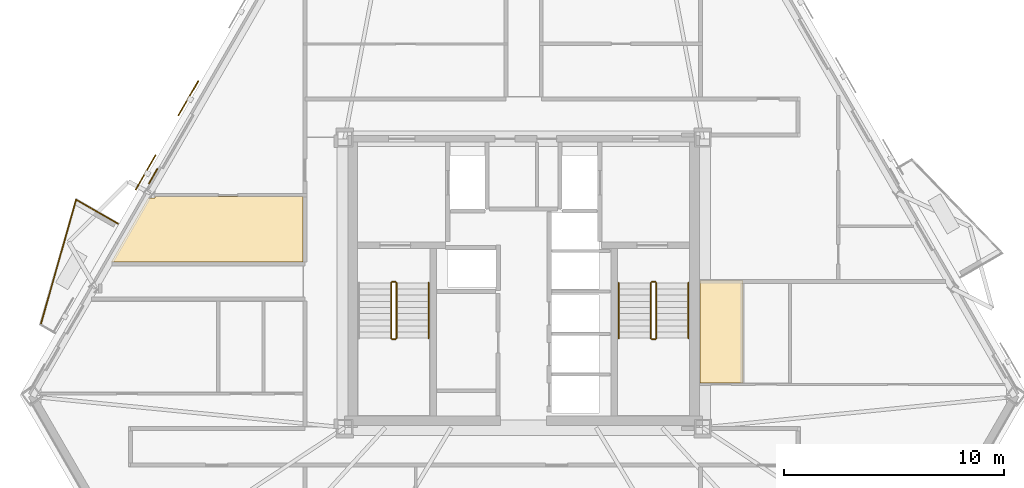
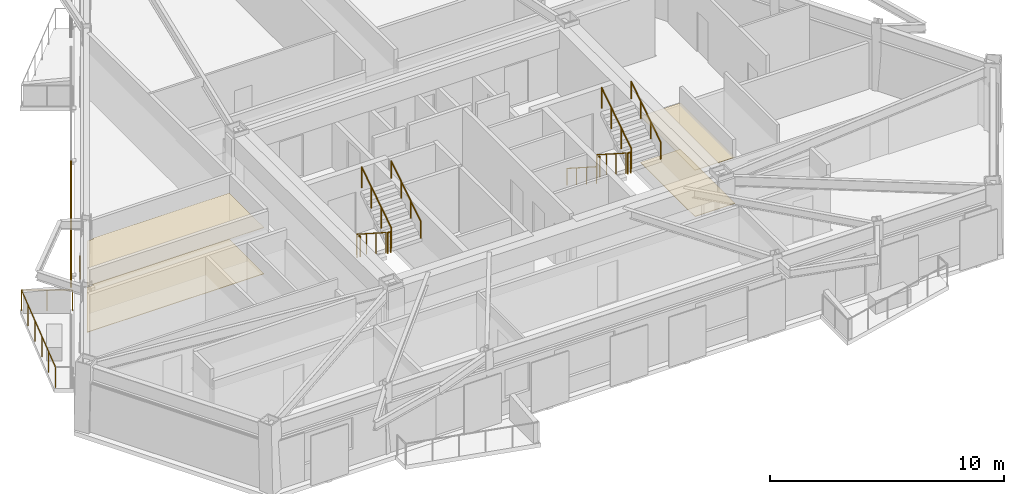
# One storey, part 8 of 9: 13 railings, 5 coverings, 2 shading devices.
"""IFC4 building model written with IfcOpenShell, lengths in metres."""

from ifc_helpers import new_model, si_unit, direction, frame, origin, origin_2d, place, context, subcontext, project, spatial, polyline, rectangle, circle, outline, extrude, material, layer, layer_set, type_object, element, save


model = new_model("IFC4")

# Units and contexts
model_context = context("Model", 3, precision=1e-05, world=origin(), true_north=direction((0.0, 1.0)))
body_context = subcontext(model_context, "Body", "Model", "MODEL_VIEW")
ifc_project = project(units=[si_unit("LENGTHUNIT", "METRE"), si_unit("AREAUNIT", "SQUARE_METRE"), si_unit("VOLUMEUNIT", "CUBIC_METRE"), si_unit("PLANEANGLEUNIT", "RADIAN"), si_unit("MASSUNIT", "GRAM", prefix="KILO")], contexts=[model_context])

# Site, building, storey
site_placement = place(None, origin())
site = spatial("IfcSite", under=ifc_project, at=site_placement, CompositionType="ELEMENT")
building_placement = place(site_placement, origin())
building = spatial("IfcBuilding", under=site, at=building_placement, Name="Oramaril Tower", CompositionType="ELEMENT")
storey_placement = place(building_placement, frame((0.0, 0.0, 156.60009765625)))
storey = spatial("IfcBuildingStorey", under=building, at=storey_placement, Name="L41", CompositionType="ELEMENT", Elevation=156.60009765625)

# Coverings
ifc_material_1 = material(Name="Mineral Fibre Acoustic Ceiling")
ifc_layer_1 = layer(ifc_material_1, 0.02001953125)
ifc_layer_set_1 = layer_set([ifc_layer_1], Name="CVT-CEIL")
covering_type_1 = type_object("IfcCoveringType", Name="CVT-CEIL", PredefinedType="CEILING", material=ifc_layer_set_1)
covering_1_placement = place(storey_placement, frame((0.0, 0.0, 2.411865234375)))
element("IfcCovering", 1, at=covering_1_placement, inside=storey, type_object=covering_type_1, Name="L41 Acoustic Suspended Ceiling 13", PredefinedType="CEILING", context=body_context, shape_type="SweptSolid", body=[
    extrude(outline(polyline([(20.408203125, 21.45849609375), (20.71728515625, 21.45849609375), (20.71728515625, 21.5185546875), (27.449951171875, 21.5185546875), (27.449951171875, 18.550048828125), (18.72900390625, 18.550048828125), (20.408203125, 21.45849609375)])), origin(), (0.0, 0.0, 1.0), 0.02001953125),
])
covering_2_placement = place(storey_placement, frame((0.0, 0.0, 2.411865234375)))
element("IfcCovering", 2, at=covering_2_placement, inside=storey, type_object=covering_type_1, Name="L41 Acoustic Suspended Ceiling 15", PredefinedType="CEILING", context=body_context, shape_type="SweptSolid", body=[
    extrude(outline(polyline([(45.51806640625, 17.69189453125), (47.491943359375, 17.69189453125), (47.491943359375, 13.035888671875), (45.51806640625, 13.035888671875), (45.51806640625, 17.69189453125)])), origin(), (0.0, 0.0, 1.0), 0.02001953125),
])
ifc_material_2 = material(Name="Warm Cream Limestone", Category="masonry")
ifc_layer_2 = layer(ifc_material_2, 0.050048828125)
ifc_layer_set_2 = layer_set([ifc_layer_2], Name="CVT-CLD")
covering_type_2 = type_object("IfcCoveringType", Name="CVT-CLD", PredefinedType="CLADDING", material=ifc_layer_set_2)
covering_3_placement = place(storey_placement, frame((20.627685546875, 22.440673828125, 0.0400390625), z_axis=(0.0, 0.0, 1.0), x_axis=(-0.5, -0.866025403784, 0.0)))
element("IfcCovering", 3, at=covering_3_placement, inside=storey, type_object=covering_type_2, Name="L41 Warm Cream Limestone Spandrel Cladding", PredefinedType="CLADDING", context=body_context, shape_type="SweptSolid", body=[
    extrude(rectangle(XDim=0.800048828125, YDim=0.050048828125, at=origin_2d()), origin(), (0.0, 0.0, 1.0), 0.679931640625),
])
ifc_material_3 = material(Name="Honed Quartzite Stone Flooring", Category="masonry")
ifc_layer_3 = layer(ifc_material_3, 0.02490234375)
ifc_layer_set_3 = layer_set([ifc_layer_3], Name="CVT-FLR")
covering_type_3 = type_object("IfcCoveringType", Name="CVT-FLR", PredefinedType="FLOORING", material=ifc_layer_set_3)
covering_4_placement = place(storey_placement, origin())
element("IfcCovering", 4, at=covering_4_placement, inside=storey, type_object=covering_type_3, Name="L41 Honed Stone Floor Finish 13", PredefinedType="FLOORING", context=body_context, shape_type="SweptSolid", body=[
    extrude(outline(polyline([(20.408203125, 21.45849609375), (20.71728515625, 21.45849609375), (20.71728515625, 21.5185546875), (27.449951171875, 21.5185546875), (27.449951171875, 18.550048828125), (18.72900390625, 18.550048828125), (20.408203125, 21.45849609375)])), origin(), (0.0, 0.0, 1.0), 0.02490234375),
])
covering_5_placement = place(storey_placement, origin())
element("IfcCovering", 5, at=covering_5_placement, inside=storey, type_object=covering_type_3, Name="L41 Honed Stone Floor Finish 15", PredefinedType="FLOORING", context=body_context, shape_type="SweptSolid", body=[
    extrude(outline(polyline([(45.51806640625, 17.69189453125), (47.491943359375, 17.69189453125), (47.491943359375, 13.035888671875), (45.51806640625, 13.035888671875), (45.51806640625, 17.69189453125)])), origin(), (0.0, 0.0, 1.0), 0.02490234375),
])

# Railings
ifc_material_4 = material(Name="Stainless Steel 316L", Category="steel")
railing_type_1 = type_object("IfcRailingType", Name="RLT-GRD", PredefinedType="GUARDRAIL", material=ifc_material_4)
railing_1_placement = place(storey_placement, frame((15.512451171875, 15.69482421875, 0.0)))
element("IfcRailing", 6, at=railing_1_placement, inside=storey, type_object=railing_type_1, Name="L41 Balcony Guardrail L41-BAL-NW2.2", PredefinedType="GUARDRAIL", context=body_context, shape_type="SweptSolid", body=[
    extrude(circle(Radius=0.02392578125, at=origin_2d()), frame((0.0, 0.0, 1.076171875), z_axis=(0.27224886544, 0.962226873074, 0.0), x_axis=(-0.962226873074, 0.27224886544, 0.0)), (0.0, 0.0, 1.0), 5.910400390625),
    extrude(circle(Radius=0.02099609375, at=origin_2d()), origin(), (0.0, 0.0, 1.0), 1.052001953125),
    extrude(circle(Radius=0.02099609375, at=origin_2d()), frame((0.32177734375, 1.137451171875, 0.0)), (0.0, 0.0, 1.0), 1.052001953125),
    extrude(circle(Radius=0.02099609375, at=origin_2d()), frame((0.6435546875, 2.27490234375, 0.0)), (0.0, 0.0, 1.0), 1.052001953125),
    extrude(circle(Radius=0.02099609375, at=origin_2d()), frame((0.965576171875, 3.412353515625, 0.0)), (0.0, 0.0, 1.0), 1.052001953125),
    extrude(circle(Radius=0.02099609375, at=origin_2d()), frame((1.287353515625, 4.5498046875, 0.0)), (0.0, 0.0, 1.0), 1.052001953125),
    extrude(circle(Radius=0.02099609375, at=origin_2d()), frame((1.609130859375, 5.687255859375, 0.0)), (0.0, 0.0, 1.0), 1.052001953125),
])
railing_2_placement = place(storey_placement, frame((17.12158203125, 21.382080078125, 0.0)))
element("IfcRailing", 7, at=railing_2_placement, inside=storey, type_object=railing_type_1, Name="L41 Balcony Guardrail L41-BAL-NW2.3", PredefinedType="GUARDRAIL", context=body_context, shape_type="SweptSolid", body=[
    extrude(circle(Radius=0.02392578125, at=origin_2d()), frame((0.0, 0.0, 1.076171875), z_axis=(0.866048343933, -0.499960264392, 0.0), x_axis=(0.499960264392, 0.866048343933, 0.0)), (0.0, 0.0, 1.0), 2.192138671875),
    extrude(circle(Radius=0.02099609375, at=origin_2d()), origin(), (0.0, 0.0, 1.0), 1.052001953125),
    extrude(circle(Radius=0.02099609375, at=origin_2d()), frame((0.94921875, -0.5478515625, 0.0)), (0.0, 0.0, 1.0), 1.052001953125),
    extrude(circle(Radius=0.02099609375, at=origin_2d()), frame((1.8984375, -1.095947265625, 0.0)), (0.0, 0.0, 1.0), 1.052001953125),
])
railing_3_placement = place(storey_placement, frame((31.4599609375, 17.590087890625, 0.179931640625)))
element("IfcRailing", 8, at=railing_3_placement, inside=storey, type_object=railing_type_1, Name="L41 ST-1 stair guard 1", PredefinedType="GUARDRAIL", context=body_context, shape_type="SweptSolid", body=[
    extrude(circle(Radius=0.02392578125, at=origin_2d()), frame((0.0, 0.0, 1.076171875), z_axis=(0.0, -0.841199657755, 0.540724639528), x_axis=(1.0, 0.0, 0.0)), (0.0, 0.0, 1.0), 2.995849609375),
    extrude(circle(Radius=0.02099609375, at=origin_2d()), origin(), (0.0, 0.0, 1.0), 1.052001953125),
    extrude(circle(Radius=0.02099609375, at=origin_2d()), frame((0.0, -0.840087890625, 0.5400390625)), (0.0, 0.0, 1.0), 1.052001953125),
    extrude(circle(Radius=0.02099609375, at=origin_2d()), frame((0.0, -1.679931640625, 1.079833984375)), (0.0, 0.0, 1.0), 1.052001953125),
    extrude(circle(Radius=0.02099609375, at=origin_2d()), frame((0.0, -2.52001953125, 1.619873046875)), (0.0, 0.0, 1.0), 1.052001953125),
])
railing_4_placement = place(storey_placement, frame((31.510009765625, 15.02001953125, 1.7998046875)))
element("IfcRailing", 9, at=railing_4_placement, inside=storey, type_object=railing_type_1, Name="L41 ST-1 stair guard 2", PredefinedType="GUARDRAIL", context=body_context, shape_type="SweptSolid", body=[
    extrude(circle(Radius=0.02392578125, at=origin_2d()), frame((0.0, 0.0, 1.076171875), z_axis=(1.0, 0.0, 0.0), x_axis=(0.0, 1.0, 0.0)), (0.0, 0.0, 1.0), 0.14990234375),
    extrude(circle(Radius=0.02099609375, at=origin_2d()), origin(), (0.0, 0.0, 1.0), 1.052001953125),
    extrude(circle(Radius=0.02099609375, at=origin_2d()), frame((0.14990234375, 0.0, 0.0)), (0.0, 0.0, 1.0), 1.052001953125),
])
railing_5_placement = place(storey_placement, frame((31.7099609375, 15.070068359375, 1.97998046875)))
element("IfcRailing", 10, at=railing_5_placement, inside=storey, type_object=railing_type_1, Name="L41 ST-1 stair guard 3", PredefinedType="GUARDRAIL", context=body_context, shape_type="SweptSolid", body=[
    extrude(circle(Radius=0.02392578125, at=origin_2d()), frame((0.0, 0.0, 1.076171875), z_axis=(0.0, 0.841199657755, 0.540724639528), x_axis=(-1.0, 0.0, 0.0)), (0.0, 0.0, 1.0), 2.995849609375),
    extrude(circle(Radius=0.02099609375, at=origin_2d()), origin(), (0.0, 0.0, 1.0), 1.052001953125),
    extrude(circle(Radius=0.02099609375, at=origin_2d()), frame((0.0, 0.840087890625, 0.5400390625)), (0.0, 0.0, 1.0), 1.052001953125),
    extrude(circle(Radius=0.02099609375, at=origin_2d()), frame((0.0, 1.679931640625, 1.079833984375)), (0.0, 0.0, 1.0), 1.052001953125),
    extrude(circle(Radius=0.02099609375, at=origin_2d()), frame((0.0, 2.52001953125, 1.619873046875)), (0.0, 0.0, 1.0), 1.052001953125),
])
railing_6_placement = place(storey_placement, frame((31.510009765625, 17.639892578125, 0.0)))
element("IfcRailing", 11, at=railing_6_placement, inside=storey, type_object=railing_type_1, Name="L41 ST-1 stair guard 4", PredefinedType="GUARDRAIL", context=body_context, shape_type="SweptSolid", body=[
    extrude(circle(Radius=0.02392578125, at=origin_2d()), frame((0.0, 0.0, 1.076171875), z_axis=(1.0, 0.0, 0.0), x_axis=(0.0, 1.0, 0.0)), (0.0, 0.0, 1.0), 0.14990234375),
    extrude(circle(Radius=0.02099609375, at=origin_2d()), origin(), (0.0, 0.0, 1.0), 1.052001953125),
    extrude(circle(Radius=0.02099609375, at=origin_2d()), frame((0.14990234375, 0.0, 0.0)), (0.0, 0.0, 1.0), 1.052001953125),
])
railing_7_placement = place(storey_placement, frame((43.2900390625, 17.590087890625, 0.179931640625)))
element("IfcRailing", 12, at=railing_7_placement, inside=storey, type_object=railing_type_1, Name="L41 ST-2 stair guard 1", PredefinedType="GUARDRAIL", context=body_context, shape_type="SweptSolid", body=[
    extrude(circle(Radius=0.02392578125, at=origin_2d()), frame((0.0, 0.0, 1.076171875), z_axis=(0.0, -0.841199657755, 0.540724639528), x_axis=(1.0, 0.0, 0.0)), (0.0, 0.0, 1.0), 2.995849609375),
    extrude(circle(Radius=0.02099609375, at=origin_2d()), origin(), (0.0, 0.0, 1.0), 1.052001953125),
    extrude(circle(Radius=0.02099609375, at=origin_2d()), frame((0.0, -0.840087890625, 0.5400390625)), (0.0, 0.0, 1.0), 1.052001953125),
    extrude(circle(Radius=0.02099609375, at=origin_2d()), frame((0.0, -1.679931640625, 1.079833984375)), (0.0, 0.0, 1.0), 1.052001953125),
    extrude(circle(Radius=0.02099609375, at=origin_2d()), frame((0.0, -2.52001953125, 1.619873046875)), (0.0, 0.0, 1.0), 1.052001953125),
])
railing_8_placement = place(storey_placement, frame((43.340087890625, 15.02001953125, 1.7998046875)))
element("IfcRailing", 13, at=railing_8_placement, inside=storey, type_object=railing_type_1, Name="L41 ST-2 stair guard 2", PredefinedType="GUARDRAIL", context=body_context, shape_type="SweptSolid", body=[
    extrude(circle(Radius=0.02392578125, at=origin_2d()), frame((0.0, 0.0, 1.076171875), z_axis=(1.0, 0.0, 0.0), x_axis=(0.0, 1.0, 0.0)), (0.0, 0.0, 1.0), 0.14990234375),
    extrude(circle(Radius=0.02099609375, at=origin_2d()), origin(), (0.0, 0.0, 1.0), 1.052001953125),
    extrude(circle(Radius=0.02099609375, at=origin_2d()), frame((0.14990234375, 0.0, 0.0)), (0.0, 0.0, 1.0), 1.052001953125),
])
railing_9_placement = place(storey_placement, frame((43.5400390625, 15.070068359375, 1.97998046875)))
element("IfcRailing", 14, at=railing_9_placement, inside=storey, type_object=railing_type_1, Name="L41 ST-2 stair guard 3", PredefinedType="GUARDRAIL", context=body_context, shape_type="SweptSolid", body=[
    extrude(circle(Radius=0.02392578125, at=origin_2d()), frame((0.0, 0.0, 1.076171875), z_axis=(0.0, 0.841199657755, 0.540724639528), x_axis=(-1.0, 0.0, 0.0)), (0.0, 0.0, 1.0), 2.995849609375),
    extrude(circle(Radius=0.02099609375, at=origin_2d()), origin(), (0.0, 0.0, 1.0), 1.052001953125),
    extrude(circle(Radius=0.02099609375, at=origin_2d()), frame((0.0, 0.840087890625, 0.5400390625)), (0.0, 0.0, 1.0), 1.052001953125),
    extrude(circle(Radius=0.02099609375, at=origin_2d()), frame((0.0, 1.679931640625, 1.079833984375)), (0.0, 0.0, 1.0), 1.052001953125),
    extrude(circle(Radius=0.02099609375, at=origin_2d()), frame((0.0, 2.52001953125, 1.619873046875)), (0.0, 0.0, 1.0), 1.052001953125),
])
railing_10_placement = place(storey_placement, frame((43.340087890625, 17.639892578125, 0.0)))
element("IfcRailing", 15, at=railing_10_placement, inside=storey, type_object=railing_type_1, Name="L41 ST-2 stair guard 4", PredefinedType="GUARDRAIL", context=body_context, shape_type="SweptSolid", body=[
    extrude(circle(Radius=0.02392578125, at=origin_2d()), frame((0.0, 0.0, 1.076171875), z_axis=(1.0, 0.0, 0.0), x_axis=(0.0, 1.0, 0.0)), (0.0, 0.0, 1.0), 0.14990234375),
    extrude(circle(Radius=0.02099609375, at=origin_2d()), origin(), (0.0, 0.0, 1.0), 1.052001953125),
    extrude(circle(Radius=0.02099609375, at=origin_2d()), frame((0.14990234375, 0.0, 0.0)), (0.0, 0.0, 1.0), 1.052001953125),
])
ifc_material_5 = material(Name="Stainless Steel 316L", Category="steel")
railing_type_2 = type_object("IfcRailingType", Name="RLT-HND", PredefinedType="HANDRAIL", material=ifc_material_5)
railing_11_placement = place(storey_placement, frame((33.169921875, 15.070068359375, 1.97998046875)))
element("IfcRailing", 16, at=railing_11_placement, inside=storey, type_object=railing_type_2, Name="L41 ST-1 stair handrail 2", PredefinedType="HANDRAIL", context=body_context, shape_type="SweptSolid", body=[
    extrude(circle(Radius=0.02392578125, at=origin_2d()), frame((0.0, 0.0, 0.8759765625), z_axis=(0.0, 0.841199657755, 0.540724639528), x_axis=(-1.0, 0.0, 0.0)), (0.0, 0.0, 1.0), 2.995849609375),
    extrude(circle(Radius=0.02099609375, at=origin_2d()), origin(), (0.0, 0.0, 1.0), 0.851806640625),
    extrude(circle(Radius=0.02099609375, at=origin_2d()), frame((0.0, 0.840087890625, 0.5400390625)), (0.0, 0.0, 1.0), 0.851806640625),
    extrude(circle(Radius=0.02099609375, at=origin_2d()), frame((0.0, 1.679931640625, 1.079833984375)), (0.0, 0.0, 1.0), 0.851806640625),
    extrude(circle(Radius=0.02099609375, at=origin_2d()), frame((0.0, 2.52001953125, 1.619873046875)), (0.0, 0.0, 1.0), 0.851806640625),
])
railing_12_placement = place(storey_placement, frame((41.830078125, 17.590087890625, 0.179931640625)))
element("IfcRailing", 17, at=railing_12_placement, inside=storey, type_object=railing_type_2, Name="L41 ST-2 stair handrail 1", PredefinedType="HANDRAIL", context=body_context, shape_type="SweptSolid", body=[
    extrude(circle(Radius=0.02392578125, at=origin_2d()), frame((0.0, 0.0, 0.8759765625), z_axis=(0.0, -0.841199657755, 0.540724639528), x_axis=(1.0, 0.0, 0.0)), (0.0, 0.0, 1.0), 2.995849609375),
    extrude(circle(Radius=0.02099609375, at=origin_2d()), origin(), (0.0, 0.0, 1.0), 0.851806640625),
    extrude(circle(Radius=0.02099609375, at=origin_2d()), frame((0.0, -0.840087890625, 0.5400390625)), (0.0, 0.0, 1.0), 0.851806640625),
    extrude(circle(Radius=0.02099609375, at=origin_2d()), frame((0.0, -1.679931640625, 1.079833984375)), (0.0, 0.0, 1.0), 0.851806640625),
    extrude(circle(Radius=0.02099609375, at=origin_2d()), frame((0.0, -2.52001953125, 1.619873046875)), (0.0, 0.0, 1.0), 0.851806640625),
])
railing_13_placement = place(storey_placement, frame((45.0, 15.070068359375, 1.97998046875)))
element("IfcRailing", 18, at=railing_13_placement, inside=storey, type_object=railing_type_2, Name="L41 ST-2 stair handrail 2", PredefinedType="HANDRAIL", context=body_context, shape_type="SweptSolid", body=[
    extrude(circle(Radius=0.02392578125, at=origin_2d()), frame((0.0, 0.0, 0.8759765625), z_axis=(0.0, 0.841199657755, 0.540724639528), x_axis=(-1.0, 0.0, 0.0)), (0.0, 0.0, 1.0), 2.995849609375),
    extrude(circle(Radius=0.02099609375, at=origin_2d()), origin(), (0.0, 0.0, 1.0), 0.851806640625),
    extrude(circle(Radius=0.02099609375, at=origin_2d()), frame((0.0, 0.840087890625, 0.5400390625)), (0.0, 0.0, 1.0), 0.851806640625),
    extrude(circle(Radius=0.02099609375, at=origin_2d()), frame((0.0, 1.679931640625, 1.079833984375)), (0.0, 0.0, 1.0), 0.851806640625),
    extrude(circle(Radius=0.02099609375, at=origin_2d()), frame((0.0, 2.52001953125, 1.619873046875)), (0.0, 0.0, 1.0), 0.851806640625),
])

# Shading devices
for number, where, z_axis, x_axis, name in (
    (19, (22.235595703125, 25.99951171875, -0.020263671875), (0.0, 0.0, 1.0), (-0.5, -0.866025403784, 0.0), "L41 Perforated Ceramic Solar Screen"),
    (20, (20.285400390625, 22.6220703125, -0.020263671875), (0.0, 0.0, 1.0), (-0.5, -0.866025403784, 0.0), "L41 Perforated Ceramic Solar Screen"),
):
    element("IfcShadingDevice", number, at=place(storey_placement, frame(where, z_axis=z_axis, x_axis=x_axis)), inside=storey, Name=name, ObjectType="SCREEN", PredefinedType="USERDEFINED", context=body_context, shape_type="SweptSolid", body=[
        extrude(rectangle(XDim=1.8330078125, YDim=0.050048828125, at=origin_2d()), origin(), (0.0, 0.0, 1.0), 2.60009765625),
    ])

save(model, "model.ifc")
